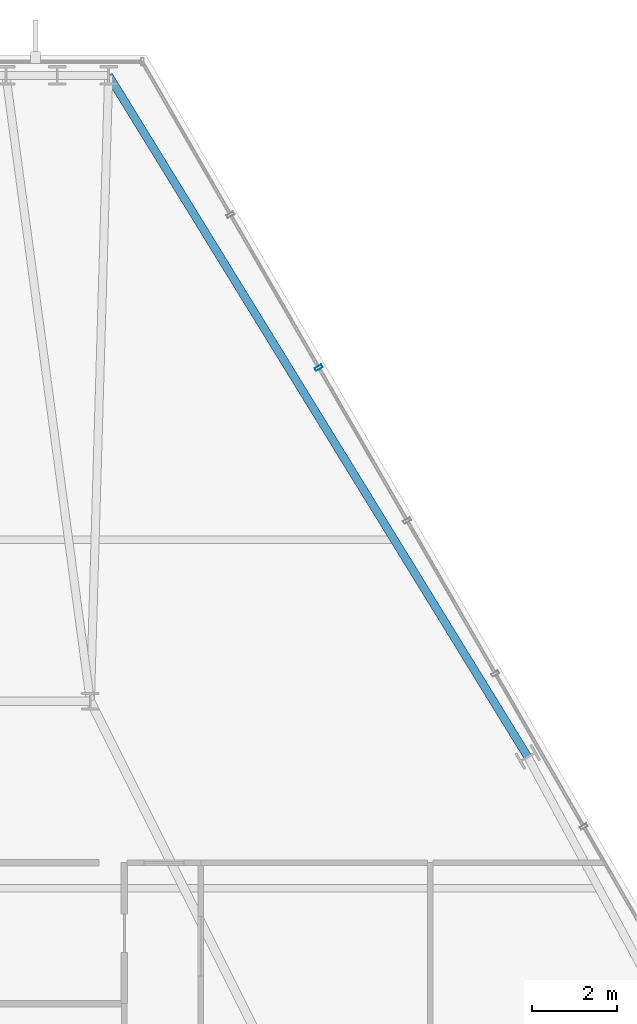
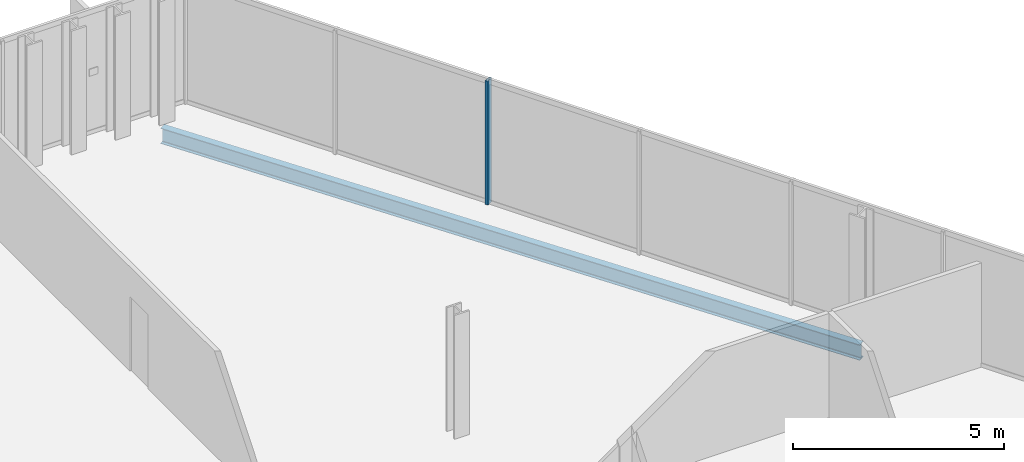
# One storey, part 26 of 35: 1 beam, 1 member, 1 element without a shape of its own.
"""IFC4 building model written with IfcOpenShell, lengths in metres."""

from ifc_helpers import new_model, si_unit, direction, frame, origin, origin_2d, place, context, subcontext, project, spatial, hollow_rectangle, i_section, extrude, material, layer, layer_set, material_profile, profile_set, type_object, element, aggregate, save


model = new_model("IFC4")

# Units and contexts
model_context = context("Model", 3, precision=1e-05, world=origin(), true_north=direction((0.0, 1.0)))
body_context = subcontext(model_context, "Body", "Model", "MODEL_VIEW")
ifc_project = project(units=[si_unit("LENGTHUNIT", "METRE"), si_unit("AREAUNIT", "SQUARE_METRE"), si_unit("VOLUMEUNIT", "CUBIC_METRE"), si_unit("PLANEANGLEUNIT", "RADIAN"), si_unit("MASSUNIT", "GRAM", prefix="KILO")], contexts=[model_context])

# Site, building, storey
site_placement = place(None, origin())
site = spatial("IfcSite", under=ifc_project, at=site_placement, CompositionType="ELEMENT")
building_placement = place(site_placement, origin())
building = spatial("IfcBuilding", under=site, at=building_placement, Name="Ndaravel Arena Tower", CompositionType="ELEMENT")
storey_placement = place(building_placement, frame((0.0, 0.0, 176.39990234375)))
storey = spatial("IfcBuildingStorey", under=building, at=storey_placement, Name="L42", CompositionType="ELEMENT", Elevation=176.39990234375)

# Beam
ifc_material_1 = material(Name="Steel S355", Category="steel")
ifc_material_profile_1 = material_profile(ifc_material_1, i_section(OverallWidth=0.18994140625, OverallDepth=0.449951171875, WebThickness=0.009521484375, FlangeThickness=0.0146484375, FilletRadius=0.02099609375, at=origin_2d()), Name="IPE 450")
ifc_profile_set_1 = profile_set([ifc_material_profile_1], Name="Steel S355")
beam_type = type_object("IfcBeamType", Name="BM-SPAN-IPE450", PredefinedType="SPANDREL", material=ifc_profile_set_1)
beam_placement = place(storey_placement, frame((56.093505859375, 29.890380859375, -0.44482421875), z_axis=(-0.523878923011, 0.851792741238, 0.0), x_axis=(-0.851792741238, -0.523878923011, 0.0)))
element("IfcBeam", 1, at=beam_placement, inside=storey, type_object=beam_type, Name="L42 Perimeter Spandrel Beam SP-10", PredefinedType="SPANDREL", context=body_context, shape_type="SweptSolid", body=[
    extrude(i_section(OverallWidth=0.18994140625, OverallDepth=0.449951171875, WebThickness=0.009521484375, FlangeThickness=0.0146484375, FilletRadius=0.02099609375, at=origin_2d()), origin(), (0.0, 0.0, 1.0), 18.828369140625),
])

# Curtain wall, member
ifc_material_2 = material(Name="Aluminium", Category="aluminium")
ifc_layer = layer(ifc_material_2, 0.179931640625)
ifc_layer_set = layer_set([ifc_layer], Name="Aluminium")
curtain_wall_type = type_object("IfcCurtainWallType", Name="CW-SYS-03", PredefinedType="NOTDEFINED", material=ifc_layer_set)
curtain_wall_placement = place(storey_placement, origin())
curtain_wall = element("IfcCurtainWall", 2, at=curtain_wall_placement, inside=storey, type_object=curtain_wall_type, Name="L42 Faceted Crystal Curtain Wall CW-L42-E03", PredefinedType="NOTDEFINED")
ifc_material_3 = material(Name="Aluminium", Category="aluminium")
ifc_material_profile_2 = material_profile(ifc_material_3, hollow_rectangle(XDim=0.074951171875, YDim=0.179931640625, WallThickness=0.00390625, at=origin_2d()), Name="CW MULLION 75x180x4")
ifc_profile_set_2 = profile_set([ifc_material_profile_2], Name="Aluminium")
member_type = type_object("IfcMemberType", Name="MEM-CW-MUL180", PredefinedType="MULLION", material=ifc_profile_set_2)
member_placement = place(storey_placement, frame((51.175048828125, 39.04931640625, 0.0), z_axis=(0.0, 0.0, 1.0), x_axis=(-0.5, 0.866025403784, 0.0)))
member = element("IfcMember", 3, at=member_placement, type_object=member_type, Name="CW-L42-E03 Mullion 07", PredefinedType="MULLION", context=body_context, shape_type="SweptSolid", body=[
    extrude(hollow_rectangle(XDim=0.074951171875, YDim=0.179931640625, WallThickness=0.00390625, at=origin_2d()), origin(), (0.0, 0.0, 1.0), 3.580078125),
])
aggregate(curtain_wall, [member])

save(model, "model.ifc")
